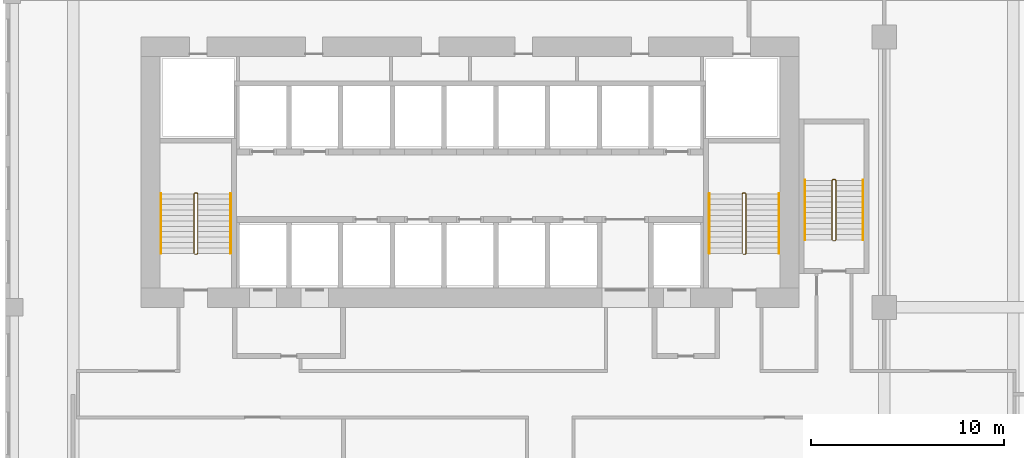
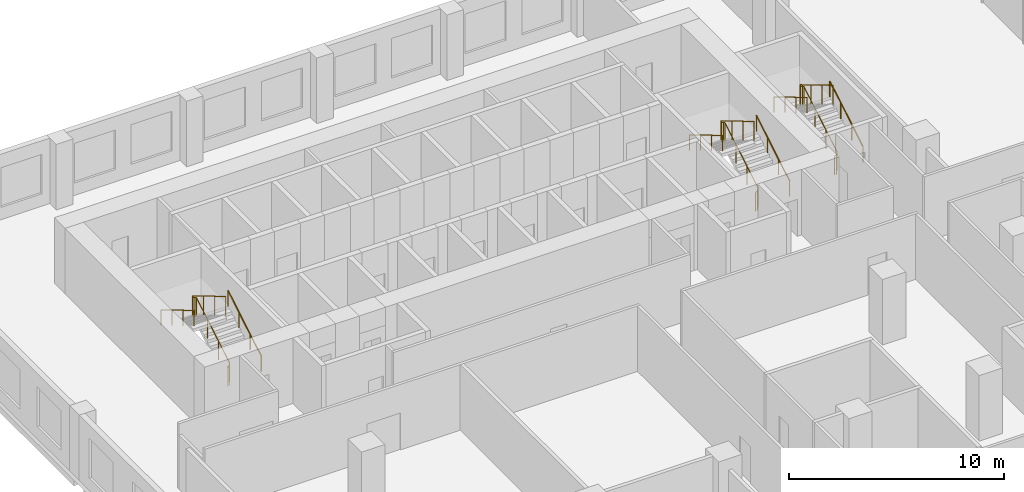
# One storey, part 28 of 29: 9 railings.
"""IFC4 building model written with IfcOpenShell, lengths in metres."""

from ifc_helpers import new_model, si_unit, direction, frame, origin, origin_2d, place, context, subcontext, project, spatial, circle, extrude, material, type_object, element, save


model = new_model("IFC4")

# Units and contexts
model_context = context("Model", 3, precision=1e-05, world=origin(), true_north=direction((0.0, 1.0)))
body_context = subcontext(model_context, "Body", "Model", "MODEL_VIEW")
ifc_project = project(units=[si_unit("LENGTHUNIT", "METRE"), si_unit("AREAUNIT", "SQUARE_METRE"), si_unit("VOLUMEUNIT", "CUBIC_METRE"), si_unit("PLANEANGLEUNIT", "RADIAN"), si_unit("MASSUNIT", "GRAM", prefix="KILO")], contexts=[model_context])

# Site, building, storey
site_placement = place(None, origin())
site = spatial("IfcSite", under=ifc_project, at=site_placement, CompositionType="ELEMENT")
building_placement = place(site_placement, origin())
building = spatial("IfcBuilding", under=site, at=building_placement, Name="Kilnfold Tower and Market Hall", CompositionType="ELEMENT")
storey_placement = place(building_placement, frame((0.0, 0.0, 79.199951171875)))
storey = spatial("IfcBuildingStorey", under=building, at=storey_placement, Name="L18", CompositionType="ELEMENT", Elevation=79.199951171875)

# Railings
ifc_material_1 = material(Name="Stainless steel 316", Category="steel")
railing_type_1 = type_object("IfcRailingType", Name="CORE STAIR GUARD 1100", PredefinedType="GUARDRAIL", material=ifc_material_1)
railing_1_placement = place(storey_placement, frame((-13.199951171875, 10.75, 0.0)))
element("IfcRailing", 1, at=railing_1_placement, inside=storey, type_object=railing_type_1, Name="L18 ST1 stair guard 1", PredefinedType="GUARDRAIL", context=body_context, shape_type="SweptSolid", body=[
    extrude(circle(Radius=0.02392578125, at=origin_2d()), frame((0.0, 0.0, 1.076171875), z_axis=(1.0, 0.0, 0.0), x_axis=(0.0, 1.0, 0.0)), (0.0, 0.0, 1.0), 0.099853515625),
    extrude(circle(Radius=0.02392578125, at=origin_2d()), frame((0.099853515625, 0.0, 1.076171875), z_axis=(0.27628659633, 0.27628659633, 0.920506074601), x_axis=(-0.707106781187, 0.707106781187, 0.0)), (0.0, 0.0, 1.0), 0.18115234375),
    extrude(circle(Radius=0.02392578125, at=origin_2d()), frame((0.14990234375, 0.050048828125, 1.24267578125), z_axis=(0.0, 0.859290745958, 0.51148745235), x_axis=(-1.0, 0.0, 0.0)), (0.0, 0.0, 1.0), 3.584228515625),
    extrude(circle(Radius=0.02392578125, at=origin_2d()), frame((0.14990234375, 3.1298828125, 3.076171875), z_axis=(-0.707106781187, 0.707106781187, 0.0), x_axis=(-0.707106781187, -0.707106781187, 0.0)), (0.0, 0.0, 1.0), 0.07080078125),
    extrude(circle(Radius=0.02392578125, at=origin_2d()), frame((0.099853515625, 3.179931640625, 3.076171875), z_axis=(-1.0, 0.0, 0.0), x_axis=(0.0, -1.0, 0.0)), (0.0, 0.0, 1.0), 0.099853515625),
    extrude(circle(Radius=0.02392578125, at=origin_2d()), frame((0.0, 3.179931640625, 3.076171875), z_axis=(-0.27628659633, -0.27628659633, 0.920506074601), x_axis=(0.707106781187, -0.707106781187, 0.0)), (0.0, 0.0, 1.0), 0.18115234375),
    extrude(circle(Radius=0.02392578125, at=origin_2d()), frame((-0.050048828125, 3.1298828125, 3.24267578125), z_axis=(0.0, -0.859290745958, 0.51148745235), x_axis=(1.0, 0.0, 0.0)), (0.0, 0.0, 1.0), 3.584228515625),
    extrude(circle(Radius=0.02099609375, at=origin_2d()), origin(), (0.0, 0.0, 1.0), 1.052001953125),
    extrude(circle(Radius=0.02099609375, at=origin_2d()), frame((0.099853515625, 0.0, 0.0)), (0.0, 0.0, 1.0), 1.052001953125),
    extrude(circle(Radius=0.02099609375, at=origin_2d()), frame((0.14990234375, 0.050048828125, 0.166748046875)), (0.0, 0.0, 1.0), 1.052001953125),
    extrude(circle(Radius=0.02099609375, at=origin_2d()), frame((0.14990234375, 1.07666015625, 0.77783203125)), (0.0, 0.0, 1.0), 1.052001953125),
    extrude(circle(Radius=0.02099609375, at=origin_2d()), frame((0.14990234375, 2.103271484375, 1.388916015625)), (0.0, 0.0, 1.0), 1.052001953125),
    extrude(circle(Radius=0.02099609375, at=origin_2d()), frame((0.14990234375, 3.1298828125, 2.0)), (0.0, 0.0, 1.0), 1.052001953125),
    extrude(circle(Radius=0.02099609375, at=origin_2d()), frame((0.099853515625, 3.179931640625, 2.0)), (0.0, 0.0, 1.0), 1.052001953125),
    extrude(circle(Radius=0.02099609375, at=origin_2d()), frame((0.0, 3.179931640625, 2.0)), (0.0, 0.0, 1.0), 1.052001953125),
    extrude(circle(Radius=0.02099609375, at=origin_2d()), frame((-0.050048828125, 3.1298828125, 2.166748046875)), (0.0, 0.0, 1.0), 1.052001953125),
    extrude(circle(Radius=0.02099609375, at=origin_2d()), frame((-0.050048828125, 2.103271484375, 2.77783203125)), (0.0, 0.0, 1.0), 1.052001953125),
    extrude(circle(Radius=0.02099609375, at=origin_2d()), frame((-0.050048828125, 1.07666015625, 3.388916015625)), (0.0, 0.0, 1.0), 1.052001953125),
    extrude(circle(Radius=0.02099609375, at=origin_2d()), frame((-0.050048828125, 0.050048828125, 4.0)), (0.0, 0.0, 1.0), 1.052001953125),
])
railing_2_placement = place(storey_placement, frame((15.199951171875, 10.75, 0.0)))
element("IfcRailing", 2, at=railing_2_placement, inside=storey, type_object=railing_type_1, Name="L18 ST2 stair guard 1", PredefinedType="GUARDRAIL", context=body_context, shape_type="SweptSolid", body=[
    extrude(circle(Radius=0.02392578125, at=origin_2d()), frame((0.0, 0.0, 1.076171875), z_axis=(1.0, 0.0, 0.0), x_axis=(0.0, 1.0, 0.0)), (0.0, 0.0, 1.0), 0.10009765625),
    extrude(circle(Radius=0.02392578125, at=origin_2d()), frame((0.10009765625, 0.0, 1.076171875), z_axis=(0.27628659633, 0.27628659633, 0.920506074601), x_axis=(-0.707106781187, 0.707106781187, 0.0)), (0.0, 0.0, 1.0), 0.18115234375),
    extrude(circle(Radius=0.02392578125, at=origin_2d()), frame((0.150146484375, 0.050048828125, 1.24267578125), z_axis=(0.0, 0.859290745958, 0.51148745235), x_axis=(-1.0, 0.0, 0.0)), (0.0, 0.0, 1.0), 3.584228515625),
    extrude(circle(Radius=0.02392578125, at=origin_2d()), frame((0.150146484375, 3.1298828125, 3.076171875), z_axis=(-0.707106781187, 0.707106781187, 0.0), x_axis=(-0.707106781187, -0.707106781187, 0.0)), (0.0, 0.0, 1.0), 0.07080078125),
    extrude(circle(Radius=0.02392578125, at=origin_2d()), frame((0.10009765625, 3.179931640625, 3.076171875), z_axis=(-1.0, 0.0, 0.0), x_axis=(0.0, -1.0, 0.0)), (0.0, 0.0, 1.0), 0.10009765625),
    extrude(circle(Radius=0.02392578125, at=origin_2d()), frame((0.0, 3.179931640625, 3.076171875), z_axis=(-0.27628659633, -0.27628659633, 0.920506074601), x_axis=(0.707106781187, -0.707106781187, 0.0)), (0.0, 0.0, 1.0), 0.18115234375),
    extrude(circle(Radius=0.02392578125, at=origin_2d()), frame((-0.050048828125, 3.1298828125, 3.24267578125), z_axis=(0.0, -0.859290745958, 0.51148745235), x_axis=(1.0, 0.0, 0.0)), (0.0, 0.0, 1.0), 3.584228515625),
    extrude(circle(Radius=0.02099609375, at=origin_2d()), origin(), (0.0, 0.0, 1.0), 1.052001953125),
    extrude(circle(Radius=0.02099609375, at=origin_2d()), frame((0.10009765625, 0.0, 0.0)), (0.0, 0.0, 1.0), 1.052001953125),
    extrude(circle(Radius=0.02099609375, at=origin_2d()), frame((0.150146484375, 0.050048828125, 0.166748046875)), (0.0, 0.0, 1.0), 1.052001953125),
    extrude(circle(Radius=0.02099609375, at=origin_2d()), frame((0.150146484375, 1.07666015625, 0.77783203125)), (0.0, 0.0, 1.0), 1.052001953125),
    extrude(circle(Radius=0.02099609375, at=origin_2d()), frame((0.150146484375, 2.103271484375, 1.388916015625)), (0.0, 0.0, 1.0), 1.052001953125),
    extrude(circle(Radius=0.02099609375, at=origin_2d()), frame((0.150146484375, 3.1298828125, 2.0)), (0.0, 0.0, 1.0), 1.052001953125),
    extrude(circle(Radius=0.02099609375, at=origin_2d()), frame((0.10009765625, 3.179931640625, 2.0)), (0.0, 0.0, 1.0), 1.052001953125),
    extrude(circle(Radius=0.02099609375, at=origin_2d()), frame((0.0, 3.179931640625, 2.0)), (0.0, 0.0, 1.0), 1.052001953125),
    extrude(circle(Radius=0.02099609375, at=origin_2d()), frame((-0.050048828125, 3.1298828125, 2.166748046875)), (0.0, 0.0, 1.0), 1.052001953125),
    extrude(circle(Radius=0.02099609375, at=origin_2d()), frame((-0.050048828125, 2.103271484375, 2.77783203125)), (0.0, 0.0, 1.0), 1.052001953125),
    extrude(circle(Radius=0.02099609375, at=origin_2d()), frame((-0.050048828125, 1.07666015625, 3.388916015625)), (0.0, 0.0, 1.0), 1.052001953125),
    extrude(circle(Radius=0.02099609375, at=origin_2d()), frame((-0.050048828125, 0.050048828125, 4.0)), (0.0, 0.0, 1.0), 1.052001953125),
])
railing_3_placement = place(storey_placement, frame((19.85009765625, 11.449951171875, 0.0)))
element("IfcRailing", 3, at=railing_3_placement, inside=storey, type_object=railing_type_1, Name="L18 ST5 stair guard 1", PredefinedType="GUARDRAIL", context=body_context, shape_type="SweptSolid", body=[
    extrude(circle(Radius=0.02392578125, at=origin_2d()), frame((0.0, 0.0, 1.076171875), z_axis=(1.0, 0.0, 0.0), x_axis=(0.0, 1.0, 0.0)), (0.0, 0.0, 1.0), 0.099853515625),
    extrude(circle(Radius=0.02392578125, at=origin_2d()), frame((0.099853515625, 0.0, 1.076171875), z_axis=(0.27628659633, 0.27628659633, 0.920506074601), x_axis=(-0.707106781187, 0.707106781187, 0.0)), (0.0, 0.0, 1.0), 0.18115234375),
    extrude(circle(Radius=0.02392578125, at=origin_2d()), frame((0.14990234375, 0.050048828125, 1.24267578125), z_axis=(0.0, 0.859308565015, 0.511457515432), x_axis=(-1.0, 0.0, 0.0)), (0.0, 0.0, 1.0), 3.58447265625),
    extrude(circle(Radius=0.02392578125, at=origin_2d()), frame((0.14990234375, 3.130126953125, 3.076171875), z_axis=(-0.708833529934, 0.705375805398, 0.0), x_axis=(-0.705375805398, -0.708833529934, 0.0)), (0.0, 0.0, 1.0), 0.070556640625),
    extrude(circle(Radius=0.02392578125, at=origin_2d()), frame((0.099853515625, 3.179931640625, 3.076171875), z_axis=(-1.0, 0.0, 0.0), x_axis=(0.0, -1.0, 0.0)), (0.0, 0.0, 1.0), 0.099853515625),
    extrude(circle(Radius=0.02392578125, at=origin_2d()), frame((0.0, 3.179931640625, 3.076171875), z_axis=(-0.276389281352, -0.275041040955, 0.920848191041), x_axis=(0.705375805398, -0.708833529934, 0.0)), (0.0, 0.0, 1.0), 0.18115234375),
    extrude(circle(Radius=0.02392578125, at=origin_2d()), frame((-0.050048828125, 3.130126953125, 3.24267578125), z_axis=(0.0, -0.859308565015, 0.511457515432), x_axis=(1.0, 0.0, 0.0)), (0.0, 0.0, 1.0), 3.58447265625),
    extrude(circle(Radius=0.02099609375, at=origin_2d()), origin(), (0.0, 0.0, 1.0), 1.052001953125),
    extrude(circle(Radius=0.02099609375, at=origin_2d()), frame((0.099853515625, 0.0, 0.0)), (0.0, 0.0, 1.0), 1.052001953125),
    extrude(circle(Radius=0.02099609375, at=origin_2d()), frame((0.14990234375, 0.050048828125, 0.166748046875)), (0.0, 0.0, 1.0), 1.052001953125),
    extrude(circle(Radius=0.02099609375, at=origin_2d()), frame((0.14990234375, 1.07666015625, 0.77783203125)), (0.0, 0.0, 1.0), 1.052001953125),
    extrude(circle(Radius=0.02099609375, at=origin_2d()), frame((0.14990234375, 2.103515625, 1.388916015625)), (0.0, 0.0, 1.0), 1.052001953125),
    extrude(circle(Radius=0.02099609375, at=origin_2d()), frame((0.14990234375, 3.130126953125, 2.0)), (0.0, 0.0, 1.0), 1.052001953125),
    extrude(circle(Radius=0.02099609375, at=origin_2d()), frame((0.099853515625, 3.179931640625, 2.0)), (0.0, 0.0, 1.0), 1.052001953125),
    extrude(circle(Radius=0.02099609375, at=origin_2d()), frame((0.0, 3.179931640625, 2.0)), (0.0, 0.0, 1.0), 1.052001953125),
    extrude(circle(Radius=0.02099609375, at=origin_2d()), frame((-0.050048828125, 3.130126953125, 2.166748046875)), (0.0, 0.0, 1.0), 1.052001953125),
    extrude(circle(Radius=0.02099609375, at=origin_2d()), frame((-0.050048828125, 2.103515625, 2.77783203125)), (0.0, 0.0, 1.0), 1.052001953125),
    extrude(circle(Radius=0.02099609375, at=origin_2d()), frame((-0.050048828125, 1.07666015625, 3.388916015625)), (0.0, 0.0, 1.0), 1.052001953125),
    extrude(circle(Radius=0.02099609375, at=origin_2d()), frame((-0.050048828125, 0.050048828125, 4.0)), (0.0, 0.0, 1.0), 1.052001953125),
])
ifc_material_2 = material(Name="Stainless steel 316", Category="steel")
railing_type_2 = type_object("IfcRailingType", Name="CORE STAIR HANDRAIL 900", PredefinedType="HANDRAIL", material=ifc_material_2)
railing_4_placement = place(storey_placement, frame((-11.35009765625, 10.800048828125, 0.166748046875)))
element("IfcRailing", 4, at=railing_4_placement, inside=storey, type_object=railing_type_2, Name="L18 ST1 stair handrail 1", PredefinedType="HANDRAIL", context=body_context, shape_type="SweptSolid", body=[
    extrude(circle(Radius=0.02392578125, at=origin_2d()), frame((0.0, 0.0, 0.8759765625), z_axis=(0.0, 0.859290745958, 0.51148745235), x_axis=(-1.0, 0.0, 0.0)), (0.0, 0.0, 1.0), 3.584228515625),
    extrude(circle(Radius=0.02099609375, at=origin_2d()), origin(), (0.0, 0.0, 1.0), 0.851806640625),
    extrude(circle(Radius=0.02099609375, at=origin_2d()), frame((0.0, 1.026611328125, 0.611083984375)), (0.0, 0.0, 1.0), 0.851806640625),
    extrude(circle(Radius=0.02099609375, at=origin_2d()), frame((0.0, 2.05322265625, 1.22216796875)), (0.0, 0.0, 1.0), 0.851806640625),
    extrude(circle(Radius=0.02099609375, at=origin_2d()), frame((0.0, 3.079833984375, 1.833251953125)), (0.0, 0.0, 1.0), 0.851806640625),
])
railing_5_placement = place(storey_placement, frame((-14.949951171875, 13.8798828125, 2.166748046875)))
element("IfcRailing", 5, at=railing_5_placement, inside=storey, type_object=railing_type_2, Name="L18 ST1 stair handrail 2", PredefinedType="HANDRAIL", context=body_context, shape_type="SweptSolid", body=[
    extrude(circle(Radius=0.02392578125, at=origin_2d()), frame((0.0, 0.0, 0.8759765625), z_axis=(0.0, -0.859290745958, 0.51148745235), x_axis=(1.0, 0.0, 0.0)), (0.0, 0.0, 1.0), 3.584228515625),
    extrude(circle(Radius=0.02099609375, at=origin_2d()), origin(), (0.0, 0.0, 1.0), 0.851806640625),
    extrude(circle(Radius=0.02099609375, at=origin_2d()), frame((0.0, -1.026611328125, 0.611083984375)), (0.0, 0.0, 1.0), 0.851806640625),
    extrude(circle(Radius=0.02099609375, at=origin_2d()), frame((0.0, -2.05322265625, 1.22216796875)), (0.0, 0.0, 1.0), 0.851806640625),
    extrude(circle(Radius=0.02099609375, at=origin_2d()), frame((0.0, -3.079833984375, 1.833251953125)), (0.0, 0.0, 1.0), 0.851806640625),
])
railing_6_placement = place(storey_placement, frame((17.050048828125, 10.800048828125, 0.166748046875)))
element("IfcRailing", 6, at=railing_6_placement, inside=storey, type_object=railing_type_2, Name="L18 ST2 stair handrail 1", PredefinedType="HANDRAIL", context=body_context, shape_type="SweptSolid", body=[
    extrude(circle(Radius=0.02392578125, at=origin_2d()), frame((0.0, 0.0, 0.8759765625), z_axis=(0.0, 0.859290745958, 0.51148745235), x_axis=(-1.0, 0.0, 0.0)), (0.0, 0.0, 1.0), 3.584228515625),
    extrude(circle(Radius=0.02099609375, at=origin_2d()), origin(), (0.0, 0.0, 1.0), 0.851806640625),
    extrude(circle(Radius=0.02099609375, at=origin_2d()), frame((0.0, 1.026611328125, 0.611083984375)), (0.0, 0.0, 1.0), 0.851806640625),
    extrude(circle(Radius=0.02099609375, at=origin_2d()), frame((0.0, 2.05322265625, 1.22216796875)), (0.0, 0.0, 1.0), 0.851806640625),
    extrude(circle(Radius=0.02099609375, at=origin_2d()), frame((0.0, 3.079833984375, 1.833251953125)), (0.0, 0.0, 1.0), 0.851806640625),
])
railing_7_placement = place(storey_placement, frame((13.449951171875, 13.8798828125, 2.166748046875)))
element("IfcRailing", 7, at=railing_7_placement, inside=storey, type_object=railing_type_2, Name="L18 ST2 stair handrail 2", PredefinedType="HANDRAIL", context=body_context, shape_type="SweptSolid", body=[
    extrude(circle(Radius=0.02392578125, at=origin_2d()), frame((0.0, 0.0, 0.8759765625), z_axis=(0.0, -0.859290745958, 0.51148745235), x_axis=(1.0, 0.0, 0.0)), (0.0, 0.0, 1.0), 3.584228515625),
    extrude(circle(Radius=0.02099609375, at=origin_2d()), origin(), (0.0, 0.0, 1.0), 0.851806640625),
    extrude(circle(Radius=0.02099609375, at=origin_2d()), frame((0.0, -1.026611328125, 0.611083984375)), (0.0, 0.0, 1.0), 0.851806640625),
    extrude(circle(Radius=0.02099609375, at=origin_2d()), frame((0.0, -2.05322265625, 1.22216796875)), (0.0, 0.0, 1.0), 0.851806640625),
    extrude(circle(Radius=0.02099609375, at=origin_2d()), frame((0.0, -3.079833984375, 1.833251953125)), (0.0, 0.0, 1.0), 0.851806640625),
])
railing_8_placement = place(storey_placement, frame((21.39990234375, 11.5, 0.166748046875)))
element("IfcRailing", 8, at=railing_8_placement, inside=storey, type_object=railing_type_2, Name="L18 ST5 stair handrail 1", PredefinedType="HANDRAIL", context=body_context, shape_type="SweptSolid", body=[
    extrude(circle(Radius=0.02392578125, at=origin_2d()), frame((0.0, 0.0, 0.8759765625), z_axis=(0.0, 0.859308565015, 0.511457515432), x_axis=(-1.0, 0.0, 0.0)), (0.0, 0.0, 1.0), 3.58447265625),
    extrude(circle(Radius=0.02099609375, at=origin_2d()), origin(), (0.0, 0.0, 1.0), 0.851806640625),
    extrude(circle(Radius=0.02099609375, at=origin_2d()), frame((0.0, 1.026611328125, 0.611083984375)), (0.0, 0.0, 1.0), 0.851806640625),
    extrude(circle(Radius=0.02099609375, at=origin_2d()), frame((0.0, 2.053466796875, 1.22216796875)), (0.0, 0.0, 1.0), 0.851806640625),
    extrude(circle(Radius=0.02099609375, at=origin_2d()), frame((0.0, 3.080078125, 1.833251953125)), (0.0, 0.0, 1.0), 0.851806640625),
])
railing_9_placement = place(storey_placement, frame((18.39990234375, 14.580078125, 2.166748046875)))
element("IfcRailing", 9, at=railing_9_placement, inside=storey, type_object=railing_type_2, Name="L18 ST5 stair handrail 2", PredefinedType="HANDRAIL", context=body_context, shape_type="SweptSolid", body=[
    extrude(circle(Radius=0.02392578125, at=origin_2d()), frame((0.0, 0.0, 0.8759765625), z_axis=(0.0, -0.859308565015, 0.511457515432), x_axis=(1.0, 0.0, 0.0)), (0.0, 0.0, 1.0), 3.58447265625),
    extrude(circle(Radius=0.02099609375, at=origin_2d()), origin(), (0.0, 0.0, 1.0), 0.851806640625),
    extrude(circle(Radius=0.02099609375, at=origin_2d()), frame((0.0, -1.026611328125, 0.611083984375)), (0.0, 0.0, 1.0), 0.851806640625),
    extrude(circle(Radius=0.02099609375, at=origin_2d()), frame((0.0, -2.053466796875, 1.22216796875)), (0.0, 0.0, 1.0), 0.851806640625),
    extrude(circle(Radius=0.02099609375, at=origin_2d()), frame((0.0, -3.080078125, 1.833251953125)), (0.0, 0.0, 1.0), 0.851806640625),
])

save(model, "model.ifc")
